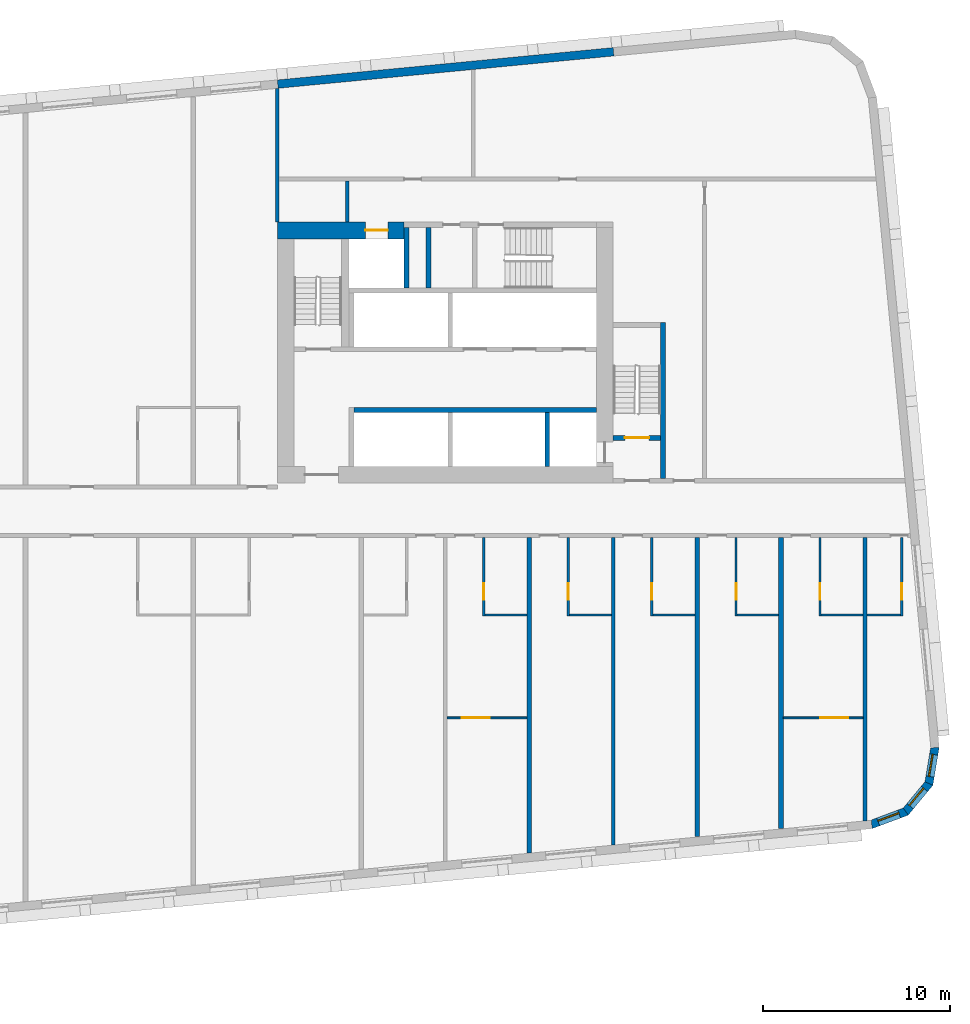
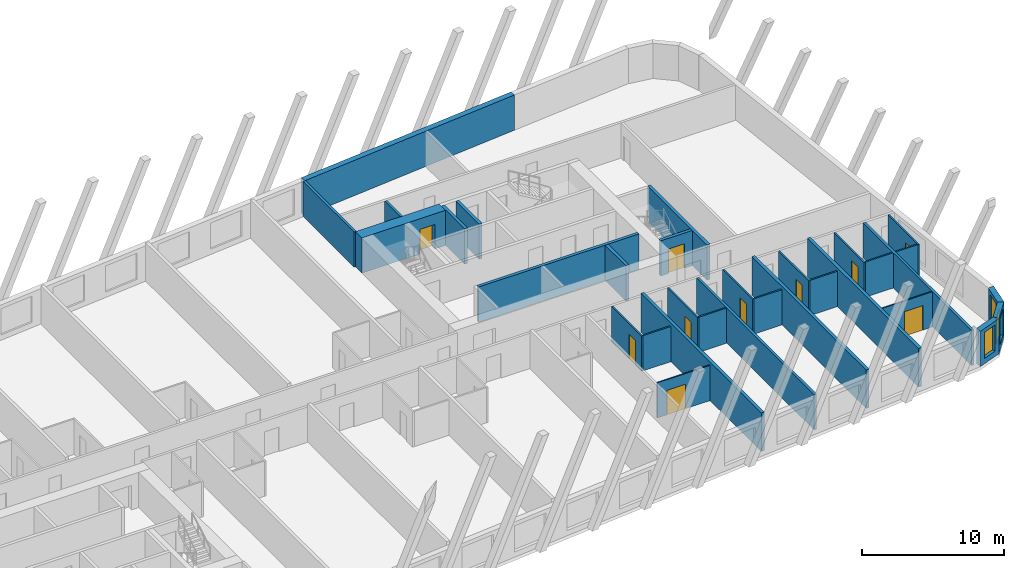
# One storey, part 7 of 13: 32 walls, 10 doors, 3 windows, 13 openings.
"""IFC4 building model written with IfcOpenShell, lengths in metres."""

from ifc_helpers import new_model, si_unit, direction, frame, frame_2d, origin, place, context, subcontext, project, spatial, polyline, rectangle, outline, extrude, material, layer, layer_set, type_object, element, fill, save


model = new_model("IFC4")

# Units and contexts
model_context = context("Model", 3, precision=1e-05, world=origin(), true_north=direction((0.0, 1.0)))
body_context = subcontext(model_context, "Body", "Model", "MODEL_VIEW")
ifc_project = project(units=[si_unit("LENGTHUNIT", "METRE"), si_unit("AREAUNIT", "SQUARE_METRE"), si_unit("VOLUMEUNIT", "CUBIC_METRE"), si_unit("PLANEANGLEUNIT", "RADIAN"), si_unit("MASSUNIT", "GRAM", prefix="KILO")], contexts=[model_context])

# Site, building, storey
site_placement = place(None, origin())
site = spatial("IfcSite", under=ifc_project, at=site_placement, CompositionType="ELEMENT")
building_placement = place(site_placement, origin())
building = spatial("IfcBuilding", under=site, at=building_placement, Name="Kajstack Hotel Tower", CompositionType="ELEMENT")
storey_placement = place(building_placement, frame((0.0, 0.0, 120.699951171875)))
storey = spatial("IfcBuildingStorey", under=building, at=storey_placement, Name="L26", CompositionType="ELEMENT", Elevation=120.699951171875)

# Wall, opening, door
ifc_material_1 = material(Name="Concrete C60/75", Category="concrete")
ifc_layer_1 = layer(ifc_material_1, 0.89990234375)
ifc_layer_set_1 = layer_set([ifc_layer_1], Name="Core wall 900")
wall_type_1 = type_object("IfcWallType", Name="Core wall 900", PredefinedType="SHEAR", material=ifc_layer_set_1)
wall_1_placement = place(storey_placement, frame((13.5, 15.050048828125, 0.0), z_axis=(0.0, 0.0, 1.0), x_axis=(1.0, 0.0, 0.0)))
wall_1 = element("IfcWall", 1, at=wall_1_placement, inside=storey, type_object=wall_type_1, Name="Core wall E RS", PredefinedType="SHEAR", context=body_context, shape_type="SweptSolid", body=[
    extrude(rectangle(XDim=6.800048828125, YDim=0.89990234375, at=frame_2d((3.39990234375, 0.0))), origin(), (0.0, 0.0, 1.0), 3.02001953125),
])
opening_1_placement = place(wall_1_placement, frame((4.72509765625, 0.0, 0.0)))
opening_1 = element("IfcOpeningElement", 2, at=opening_1_placement, cuts=wall_1, Name="Opening LD-SV2", PredefinedType="OPENING", context=body_context, shape_type="SweptSolid", body=[
    extrude(rectangle(XDim=1.199951171875, YDim=2.10009765625, at=frame_2d((0.60009765625, 1.050048828125))), frame((0.0, 0.4599609375, 0.0), z_axis=(0.0, -1.0, 0.0), x_axis=(1.0, 0.0, 0.0)), (0.0, 0.0, 1.0), 0.919921875),
])
ifc_material_2 = material(Name="Stainless steel", Category="steel")
door_type_1 = type_object("IfcDoorType", Name="Lift landing door 1200", OperationType="SLIDING_TO_LEFT", PredefinedType="DOOR", material=ifc_material_2)
door_1_placement = place(opening_1_placement, origin())
door_1 = element("IfcDoor", 3, at=door_1_placement, inside=storey, type_object=door_type_1, Name="Landing door SV2", OperationType="SLIDING_TO_LEFT", OverallHeight=2.10009765625, OverallWidth=1.199951171875, PredefinedType="DOOR", context=body_context, shape_type="SweptSolid", body=[
    extrude(rectangle(XDim=1.199951171875, YDim=2.10009765625, at=frame_2d((0.60009765625, 1.050048828125))), frame((0.0, 0.02490234375, 0.0), z_axis=(0.0, -1.0, 0.0), x_axis=(1.0, 0.0, 0.0)), (0.0, 0.0, 1.0), 0.050048828125),
])
fill(opening_1, door_1)

# Walls
ifc_material_3 = material(Name="Twin-frame gypsum board on steel studs, mineral wool", Category="steel")
ifc_layer_2 = layer(ifc_material_3, 0.199951171875)
ifc_layer_set_2 = layer_set([ifc_layer_2], Name="Demising wall 200")
wall_type_2 = type_object("IfcWallType", Name="Demising wall 200", PredefinedType="PARTITIONING", material=ifc_layer_set_2)
wall_2_placement = place(storey_placement, frame((13.5, 15.5, 0.0), z_axis=(0.0, 0.0, 1.0), x_axis=(0.0, 1.0, 0.0)))
element("IfcWall", 4, at=wall_2_placement, inside=storey, type_object=wall_type_2, Name="G-wall-L26-001", PredefinedType="PARTITIONING", context=body_context, shape_type="SweptSolid", body=[
    extrude(rectangle(XDim=7.162109375, YDim=0.199951171875, at=frame_2d((3.5810546875, 0.0))), origin(), (0.0, 0.0, 1.0), 3.02001953125),
])
wall_3_placement = place(storey_placement, frame((31.5, -17.89892578125, 0.0), z_axis=(0.0, 0.0, 1.0), x_axis=(0.0, 1.0, 0.0)))
element("IfcWall", 5, at=wall_3_placement, inside=storey, type_object=wall_type_2, Name="G-wall-L26-041", PredefinedType="PARTITIONING", context=body_context, shape_type="SweptSolid", body=[
    extrude(rectangle(XDim=16.4990234375, YDim=0.199951171875, at=frame_2d((8.24951171875, 0.0))), origin(), (0.0, 0.0, 1.0), 3.02001953125),
])
wall_4_placement = place(storey_placement, frame((45.0, -16.59912109375, 0.0), z_axis=(0.0, 0.0, 1.0), x_axis=(0.0, 1.0, 0.0)))
element("IfcWall", 6, at=wall_4_placement, inside=storey, type_object=wall_type_2, Name="G-wall-L26-048", PredefinedType="PARTITIONING", context=body_context, shape_type="SweptSolid", body=[
    extrude(rectangle(XDim=15.19921875, YDim=0.199951171875, at=frame_2d((7.599609375, 0.0))), origin(), (0.0, 0.0, 1.0), 3.02001953125),
])
ifc_material_4 = material(Name="Concrete C40/50", Category="concrete")
ifc_layer_3 = layer(ifc_material_4, 0.449951171875)
ifc_layer_set_3 = layer_set([ifc_layer_3], Name="EW-CORE")
wall_type_3 = type_object("IfcWallType", Name="EW-CORE", PredefinedType="SOLIDWALL", material=ifc_layer_set_3)
wall_5_placement = place(storey_placement, frame((31.521484375, 24.623291015625, 0.0), z_axis=(0.0, 0.0, 1.0), x_axis=(-0.995396454615, -0.095843091245, 0.0)))
element("IfcWall", 7, at=wall_5_placement, inside=storey, type_object=wall_type_3, Name="E-wall-L26-12-01", PredefinedType="SOLIDWALL", context=body_context, shape_type="SweptSolid", body=[
    extrude(rectangle(XDim=18.083251953125, YDim=0.449951171875, at=frame_2d((9.04150390625, 0.0))), origin(), (0.0, 0.0, 1.0), 3.02001953125),
])

# Wall, opening, window
ifc_material_5 = material(Name="Terracotta-faced brick masonry", Category="masonry")
ifc_layer_4 = layer(ifc_material_5, 0.449951171875)
ifc_layer_set_4 = layer_set([ifc_layer_4], Name="EW-TERRA")
wall_type_4 = type_object("IfcWallType", Name="EW-TERRA", PredefinedType="SOLIDWALL", material=ifc_layer_set_4)
wall_6_placement = place(storey_placement, frame((45.300048828125, -16.804443359375, 0.0), z_axis=(0.0, 0.0, 1.0), x_axis=(0.936677599948, 0.350192909346, 0.0)))
wall_6 = element("IfcWall", 8, at=wall_6_placement, inside=storey, type_object=wall_type_4, Name="E-wall-L26-05-00", PredefinedType="SOLIDWALL", context=body_context, shape_type="SweptSolid", body=[
    extrude(outline(polyline([(0.0, -0.224853515625), (2.070556640625, -0.224853515625), (1.949951171875, 0.22509765625), (0.12060546875, 0.22509765625), (0.0, -0.224853515625)])), origin(), (0.0, 0.0, 1.0), 3.02001953125),
])
opening_2_placement = place(wall_6_placement, frame((0.435302734375, 0.0, 0.449951171875)))
opening_2 = element("IfcOpeningElement", 9, at=opening_2_placement, cuts=wall_6, Name="Opening W3", PredefinedType="OPENING", context=body_context, shape_type="SweptSolid", body=[
    extrude(rectangle(XDim=1.199951171875, YDim=2.25, at=frame_2d((0.60009765625, 1.125))), frame((0.0, 0.23486328125, 0.0), z_axis=(0.0, -1.0, 0.0), x_axis=(1.0, 0.0, 0.0)), (0.0, 0.0, 1.0), 0.469970703125),
])
ifc_material_6 = material(Name="Timber-aluminium window, triple glazed", Category="wood")
window_type = type_object("IfcWindowType", Name="WG3", PartitioningType="SINGLE_PANEL", PredefinedType="WINDOW", material=ifc_material_6)
window_1_placement = place(opening_2_placement, origin())
window_1 = element("IfcWindow", 10, at=window_1_placement, inside=storey, type_object=window_type, Name="Window W3 L26-05", OverallHeight=2.25, OverallWidth=1.199951171875, PartitioningType="SINGLE_PANEL", PredefinedType="WINDOW", context=body_context, shape_type="SweptSolid", body=[
    extrude(rectangle(XDim=1.199951171875, YDim=2.25, at=frame_2d((0.60009765625, 1.125))), frame((0.0, 0.090087890625, 0.0), z_axis=(0.0, -1.0, 0.0), x_axis=(1.0, 0.0, 0.0)), (0.0, 0.0, 1.0), 0.06005859375),
])
fill(opening_2, window_1)

wall_7_placement = place(storey_placement, frame((47.144775390625, -16.14697265625, 0.0), z_axis=(0.0, 0.0, 1.0), x_axis=(0.635988241739, 0.771698747161, 0.0)))
wall_7 = element("IfcWall", 11, at=wall_7_placement, inside=storey, type_object=wall_type_4, Name="E-wall-L26-06-00", PredefinedType="SOLIDWALL", context=body_context, shape_type="SweptSolid", body=[
    extrude(outline(polyline([(0.0, -0.224853515625), (2.070556640625, -0.22509765625), (1.949951171875, 0.224853515625), (0.12060546875, 0.22509765625), (0.0, -0.224853515625)])), origin(), (0.0, 0.0, 1.0), 3.02001953125),
])
opening_3_placement = place(wall_7_placement, frame((0.435302734375, 0.0, 0.449951171875)))
opening_3 = element("IfcOpeningElement", 12, at=opening_3_placement, cuts=wall_7, Name="Opening W3", PredefinedType="OPENING", context=body_context, shape_type="SweptSolid", body=[
    extrude(rectangle(XDim=1.199951171875, YDim=2.25, at=frame_2d((0.60009765625, 1.125))), frame((0.0, 0.23486328125, 0.0), z_axis=(0.0, -1.0, 0.0), x_axis=(1.0, 0.0, 0.0)), (0.0, 0.0, 1.0), 0.469970703125),
])
window_2_placement = place(opening_3_placement, origin())
window_2 = element("IfcWindow", 13, at=window_2_placement, inside=storey, type_object=window_type, Name="Window W3 L26-06", OverallHeight=2.25, OverallWidth=1.199951171875, PartitioningType="SINGLE_PANEL", PredefinedType="WINDOW", context=body_context, shape_type="SweptSolid", body=[
    extrude(rectangle(XDim=1.199951171875, YDim=2.25, at=frame_2d((0.60009765625, 1.125))), frame((0.0, 0.090087890625, 0.0), z_axis=(0.0, -1.0, 0.0), x_axis=(1.0, 0.0, 0.0)), (0.0, 0.0, 1.0), 0.06005859375),
])
fill(opening_3, window_2)

wall_8_placement = place(storey_placement, frame((48.413330078125, -14.6552734375, 0.0), z_axis=(0.0, 0.0, 1.0), x_axis=(0.165068144653, 0.986282164302, 0.0)))
wall_8 = element("IfcWall", 14, at=wall_8_placement, inside=storey, type_object=wall_type_4, Name="E-wall-L26-07-00", PredefinedType="SOLIDWALL", context=body_context, shape_type="SweptSolid", body=[
    extrude(outline(polyline([(0.0, -0.22509765625), (2.07080078125, -0.224853515625), (1.9501953125, 0.22509765625), (0.12060546875, 0.224853515625), (0.0, -0.22509765625)])), origin(), (0.0, 0.0, 1.0), 3.02001953125),
])
opening_4_placement = place(wall_8_placement, frame((0.435302734375, 0.0, 0.449951171875)))
opening_4 = element("IfcOpeningElement", 15, at=opening_4_placement, cuts=wall_8, Name="Opening W3", PredefinedType="OPENING", context=body_context, shape_type="SweptSolid", body=[
    extrude(rectangle(XDim=1.199951171875, YDim=2.25, at=frame_2d((0.60009765625, 1.125))), frame((0.0, 0.23486328125, 0.0), z_axis=(0.0, -1.0, 0.0), x_axis=(1.0, 0.0, 0.0)), (0.0, 0.0, 1.0), 0.469970703125),
])
window_3_placement = place(opening_4_placement, origin())
window_3 = element("IfcWindow", 16, at=window_3_placement, inside=storey, type_object=window_type, Name="Window W3 L26-07", OverallHeight=2.25, OverallWidth=1.199951171875, PartitioningType="SINGLE_PANEL", PredefinedType="WINDOW", context=body_context, shape_type="SweptSolid", body=[
    extrude(rectangle(XDim=1.199951171875, YDim=2.25, at=frame_2d((0.60009765625, 1.125))), frame((0.0, 0.090087890625, 0.0), z_axis=(0.0, -1.0, 0.0), x_axis=(1.0, 0.0, 0.0)), (0.0, 0.0, 1.0), 0.06005859375),
])
fill(opening_4, window_3)

# Wall, opening, door
ifc_material_7 = material(Name="Gypsum board and tiled backer on steel studs", Category="steel")
ifc_layer_5 = layer(ifc_material_7, 0.125)
ifc_layer_set_5 = layer_set([ifc_layer_5], Name="En-suite wall 125")
wall_type_5 = type_object("IfcWallType", Name="En-suite wall 125", PredefinedType="PARTITIONING", material=ifc_layer_set_5)
wall_9_placement = place(storey_placement, frame((24.56201171875, -5.625, 0.0), z_axis=(0.0, 0.0, 1.0), x_axis=(0.0, 1.0, 0.0)))
wall_9 = element("IfcWall", 17, at=wall_9_placement, inside=storey, type_object=wall_type_5, Name="G-wall-L26-038", PredefinedType="PARTITIONING", context=body_context, shape_type="SweptSolid", body=[
    extrude(rectangle(XDim=4.22509765625, YDim=0.125, at=frame_2d((2.112548828125, 0.0))), origin(), (0.0, 0.0, 1.0), 3.02001953125),
])
opening_5_placement = place(wall_9_placement, frame((0.875, 0.0, 0.0)))
opening_5 = element("IfcOpeningElement", 18, at=opening_5_placement, cuts=wall_9, Name="Opening 26032", PredefinedType="OPENING", context=body_context, shape_type="SweptSolid", body=[
    extrude(rectangle(XDim=0.89990234375, YDim=2.10009765625, at=frame_2d((0.449951171875, 1.050048828125))), frame((0.0, 0.072509765625, 0.0), z_axis=(0.0, -1.0, 0.0), x_axis=(1.0, 0.0, 0.0)), (0.0, 0.0, 1.0), 0.14501953125),
])
ifc_material_8 = material(Name="Painted timber door leaf", Category="wood")
door_type_2 = type_object("IfcDoorType", Name="Room door 900", OperationType="SINGLE_SWING_LEFT", PredefinedType="DOOR", material=ifc_material_8)
door_2_placement = place(opening_5_placement, origin())
door_2 = element("IfcDoor", 19, at=door_2_placement, inside=storey, type_object=door_type_2, Name="G-door-L26-32", OperationType="SINGLE_SWING_LEFT", OverallHeight=2.10009765625, OverallWidth=0.89990234375, PredefinedType="DOOR", context=body_context, shape_type="SweptSolid", body=[
    extrude(rectangle(XDim=0.89990234375, YDim=2.10009765625, at=frame_2d((0.449951171875, 1.050048828125))), frame((0.0, 0.02490234375, 0.0), z_axis=(0.0, -1.0, 0.0), x_axis=(1.0, 0.0, 0.0)), (0.0, 0.0, 1.0), 0.050048828125),
])
fill(opening_5, door_2)

# Wall
wall_10_placement = place(storey_placement, frame((24.625, -5.56201171875, 0.0), z_axis=(0.0, 0.0, 1.0), x_axis=(1.0, 0.0, 0.0)))
element("IfcWall", 20, at=wall_10_placement, inside=storey, type_object=wall_type_5, Name="G-wall-L26-039", PredefinedType="PARTITIONING", context=body_context, shape_type="SweptSolid", body=[
    extrude(rectangle(XDim=2.25, YDim=0.125, at=frame_2d((1.125, 0.0))), origin(), (0.0, 0.0, 1.0), 3.02001953125),
])

# Wall, opening, door
wall_11_placement = place(storey_placement, frame((29.0869140625, -5.625, 0.0), z_axis=(0.0, 0.0, 1.0), x_axis=(0.0, 1.0, 0.0)))
wall_11 = element("IfcWall", 21, at=wall_11_placement, inside=storey, type_object=wall_type_5, Name="G-wall-L26-042", PredefinedType="PARTITIONING", context=body_context, shape_type="SweptSolid", body=[
    extrude(rectangle(XDim=4.22509765625, YDim=0.125, at=frame_2d((2.112548828125, 0.0))), origin(), (0.0, 0.0, 1.0), 3.02001953125),
])
opening_6_placement = place(wall_11_placement, frame((0.875, 0.0, 0.0)))
opening_6 = element("IfcOpeningElement", 22, at=opening_6_placement, cuts=wall_11, Name="Opening 26035", PredefinedType="OPENING", context=body_context, shape_type="SweptSolid", body=[
    extrude(rectangle(XDim=0.89990234375, YDim=2.10009765625, at=frame_2d((0.449951171875, 1.050048828125))), frame((0.0, 0.072509765625, 0.0), z_axis=(0.0, -1.0, 0.0), x_axis=(1.0, 0.0, 0.0)), (0.0, 0.0, 1.0), 0.14501953125),
])
door_3_placement = place(opening_6_placement, origin())
door_3 = element("IfcDoor", 23, at=door_3_placement, inside=storey, type_object=door_type_2, Name="G-door-L26-35", OperationType="SINGLE_SWING_LEFT", OverallHeight=2.10009765625, OverallWidth=0.89990234375, PredefinedType="DOOR", context=body_context, shape_type="SweptSolid", body=[
    extrude(rectangle(XDim=0.89990234375, YDim=2.10009765625, at=frame_2d((0.449951171875, 1.050048828125))), frame((0.0, 0.02490234375, 0.0), z_axis=(0.0, -1.0, 0.0), x_axis=(1.0, 0.0, 0.0)), (0.0, 0.0, 1.0), 0.050048828125),
])
fill(opening_6, door_3)

# Wall
wall_12_placement = place(storey_placement, frame((29.14990234375, -5.56201171875, 0.0), z_axis=(0.0, 0.0, 1.0), x_axis=(1.0, 0.0, 0.0)))
element("IfcWall", 24, at=wall_12_placement, inside=storey, type_object=wall_type_5, Name="G-wall-L26-043", PredefinedType="PARTITIONING", context=body_context, shape_type="SweptSolid", body=[
    extrude(rectangle(XDim=2.25, YDim=0.125, at=frame_2d((1.125, 0.0))), origin(), (0.0, 0.0, 1.0), 3.02001953125),
])

# Wall, opening, door
wall_13_placement = place(storey_placement, frame((33.56201171875, -5.625, 0.0), z_axis=(0.0, 0.0, 1.0), x_axis=(0.0, 1.0, 0.0)))
wall_13 = element("IfcWall", 25, at=wall_13_placement, inside=storey, type_object=wall_type_5, Name="G-wall-L26-044", PredefinedType="PARTITIONING", context=body_context, shape_type="SweptSolid", body=[
    extrude(rectangle(XDim=4.22509765625, YDim=0.125, at=frame_2d((2.112548828125, 0.0))), origin(), (0.0, 0.0, 1.0), 3.02001953125),
])
opening_7_placement = place(wall_13_placement, frame((0.875, 0.0, 0.0)))
opening_7 = element("IfcOpeningElement", 26, at=opening_7_placement, cuts=wall_13, Name="Opening 26037", PredefinedType="OPENING", context=body_context, shape_type="SweptSolid", body=[
    extrude(rectangle(XDim=0.89990234375, YDim=2.10009765625, at=frame_2d((0.449951171875, 1.050048828125))), frame((0.0, 0.072509765625, 0.0), z_axis=(0.0, -1.0, 0.0), x_axis=(1.0, 0.0, 0.0)), (0.0, 0.0, 1.0), 0.14501953125),
])
door_4_placement = place(opening_7_placement, origin())
door_4 = element("IfcDoor", 27, at=door_4_placement, inside=storey, type_object=door_type_2, Name="G-door-L26-37", OperationType="SINGLE_SWING_LEFT", OverallHeight=2.10009765625, OverallWidth=0.89990234375, PredefinedType="DOOR", context=body_context, shape_type="SweptSolid", body=[
    extrude(rectangle(XDim=0.89990234375, YDim=2.10009765625, at=frame_2d((0.449951171875, 1.050048828125))), frame((0.0, 0.02490234375, 0.0), z_axis=(0.0, -1.0, 0.0), x_axis=(1.0, 0.0, 0.0)), (0.0, 0.0, 1.0), 0.050048828125),
])
fill(opening_7, door_4)

# Wall
wall_14_placement = place(storey_placement, frame((33.625, -5.56201171875, 0.0), z_axis=(0.0, 0.0, 1.0), x_axis=(1.0, 0.0, 0.0)))
element("IfcWall", 28, at=wall_14_placement, inside=storey, type_object=wall_type_5, Name="G-wall-L26-045", PredefinedType="PARTITIONING", context=body_context, shape_type="SweptSolid", body=[
    extrude(rectangle(XDim=2.25, YDim=0.125, at=frame_2d((1.125, 0.0))), origin(), (0.0, 0.0, 1.0), 3.02001953125),
])

# Wall, opening, door
wall_15_placement = place(storey_placement, frame((38.0869140625, -5.625, 0.0), z_axis=(0.0, 0.0, 1.0), x_axis=(0.0, 1.0, 0.0)))
wall_15 = element("IfcWall", 29, at=wall_15_placement, inside=storey, type_object=wall_type_5, Name="G-wall-L26-046", PredefinedType="PARTITIONING", context=body_context, shape_type="SweptSolid", body=[
    extrude(rectangle(XDim=4.22509765625, YDim=0.125, at=frame_2d((2.112548828125, 0.0))), origin(), (0.0, 0.0, 1.0), 3.02001953125),
])
opening_8_placement = place(wall_15_placement, frame((0.875, 0.0, 0.0)))
opening_8 = element("IfcOpeningElement", 30, at=opening_8_placement, cuts=wall_15, Name="Opening 26039", PredefinedType="OPENING", context=body_context, shape_type="SweptSolid", body=[
    extrude(rectangle(XDim=0.89990234375, YDim=2.10009765625, at=frame_2d((0.449951171875, 1.050048828125))), frame((0.0, 0.072509765625, 0.0), z_axis=(0.0, -1.0, 0.0), x_axis=(1.0, 0.0, 0.0)), (0.0, 0.0, 1.0), 0.14501953125),
])
door_5_placement = place(opening_8_placement, origin())
door_5 = element("IfcDoor", 31, at=door_5_placement, inside=storey, type_object=door_type_2, Name="G-door-L26-39", OperationType="SINGLE_SWING_LEFT", OverallHeight=2.10009765625, OverallWidth=0.89990234375, PredefinedType="DOOR", context=body_context, shape_type="SweptSolid", body=[
    extrude(rectangle(XDim=0.89990234375, YDim=2.10009765625, at=frame_2d((0.449951171875, 1.050048828125))), frame((0.0, 0.02490234375, 0.0), z_axis=(0.0, -1.0, 0.0), x_axis=(1.0, 0.0, 0.0)), (0.0, 0.0, 1.0), 0.050048828125),
])
fill(opening_8, door_5)

# Wall
wall_16_placement = place(storey_placement, frame((38.14990234375, -5.56201171875, 0.0), z_axis=(0.0, 0.0, 1.0), x_axis=(1.0, 0.0, 0.0)))
element("IfcWall", 32, at=wall_16_placement, inside=storey, type_object=wall_type_5, Name="G-wall-L26-047", PredefinedType="PARTITIONING", context=body_context, shape_type="SweptSolid", body=[
    extrude(rectangle(XDim=2.22509765625, YDim=0.125, at=frame_2d((1.112548828125, 0.0))), origin(), (0.0, 0.0, 1.0), 3.02001953125),
])

# Wall, opening, door
wall_17_placement = place(storey_placement, frame((42.5869140625, -5.625, 0.0), z_axis=(0.0, 0.0, 1.0), x_axis=(0.0, 1.0, 0.0)))
wall_17 = element("IfcWall", 33, at=wall_17_placement, inside=storey, type_object=wall_type_5, Name="G-wall-L26-049", PredefinedType="PARTITIONING", context=body_context, shape_type="SweptSolid", body=[
    extrude(rectangle(XDim=4.22509765625, YDim=0.125, at=frame_2d((2.112548828125, 0.0))), origin(), (0.0, 0.0, 1.0), 3.02001953125),
])
opening_9_placement = place(wall_17_placement, frame((0.875, 0.0, 0.0)))
opening_9 = element("IfcOpeningElement", 34, at=opening_9_placement, cuts=wall_17, Name="Opening 26041", PredefinedType="OPENING", context=body_context, shape_type="SweptSolid", body=[
    extrude(rectangle(XDim=0.89990234375, YDim=2.10009765625, at=frame_2d((0.449951171875, 1.050048828125))), frame((0.0, 0.072509765625, 0.0), z_axis=(0.0, -1.0, 0.0), x_axis=(1.0, 0.0, 0.0)), (0.0, 0.0, 1.0), 0.14501953125),
])
door_6_placement = place(opening_9_placement, origin())
door_6 = element("IfcDoor", 35, at=door_6_placement, inside=storey, type_object=door_type_2, Name="G-door-L26-41", OperationType="SINGLE_SWING_LEFT", OverallHeight=2.10009765625, OverallWidth=0.89990234375, PredefinedType="DOOR", context=body_context, shape_type="SweptSolid", body=[
    extrude(rectangle(XDim=0.89990234375, YDim=2.10009765625, at=frame_2d((0.449951171875, 1.050048828125))), frame((0.0, 0.02490234375, 0.0), z_axis=(0.0, -1.0, 0.0), x_axis=(1.0, 0.0, 0.0)), (0.0, 0.0, 1.0), 0.050048828125),
])
fill(opening_9, door_6)

# Wall
wall_18_placement = place(storey_placement, frame((42.64990234375, -5.56201171875, 0.0), z_axis=(0.0, 0.0, 1.0), x_axis=(1.0, 0.0, 0.0)))
element("IfcWall", 36, at=wall_18_placement, inside=storey, type_object=wall_type_5, Name="G-wall-L26-050", PredefinedType="PARTITIONING", context=body_context, shape_type="SweptSolid", body=[
    extrude(rectangle(XDim=2.25, YDim=0.125, at=frame_2d((1.125, 0.0))), origin(), (0.0, 0.0, 1.0), 3.02001953125),
])

# Wall, opening, door
wall_19_placement = place(storey_placement, frame((46.9619140625, -5.625, 0.0), z_axis=(0.0, 0.0, 1.0), x_axis=(0.0, 1.0, 0.0)))
wall_19 = element("IfcWall", 37, at=wall_19_placement, inside=storey, type_object=wall_type_5, Name="G-wall-L26-052", PredefinedType="PARTITIONING", context=body_context, shape_type="SweptSolid", body=[
    extrude(rectangle(XDim=4.22509765625, YDim=0.125, at=frame_2d((2.112548828125, 0.0))), origin(), (0.0, 0.0, 1.0), 3.02001953125),
])
opening_10_placement = place(wall_19_placement, frame((0.875, 0.0, 0.0)))
opening_10 = element("IfcOpeningElement", 38, at=opening_10_placement, cuts=wall_19, Name="Opening 26044", PredefinedType="OPENING", context=body_context, shape_type="SweptSolid", body=[
    extrude(rectangle(XDim=0.89990234375, YDim=2.10009765625, at=frame_2d((0.449951171875, 1.050048828125))), frame((0.0, 0.072509765625, 0.0), z_axis=(0.0, -1.0, 0.0), x_axis=(1.0, 0.0, 0.0)), (0.0, 0.0, 1.0), 0.14501953125),
])
door_7_placement = place(opening_10_placement, origin())
door_7 = element("IfcDoor", 39, at=door_7_placement, inside=storey, type_object=door_type_2, Name="G-door-L26-44", OperationType="SINGLE_SWING_LEFT", OverallHeight=2.10009765625, OverallWidth=0.89990234375, PredefinedType="DOOR", context=body_context, shape_type="SweptSolid", body=[
    extrude(rectangle(XDim=0.89990234375, YDim=2.10009765625, at=frame_2d((0.449951171875, 1.050048828125))), frame((0.0, 0.02490234375, 0.0), z_axis=(0.0, -1.0, 0.0), x_axis=(1.0, 0.0, 0.0)), (0.0, 0.0, 1.0), 0.050048828125),
])
fill(opening_10, door_7)

# Wall
wall_20_placement = place(storey_placement, frame((45.10009765625, -5.56201171875, 0.0), z_axis=(0.0, 0.0, 1.0), x_axis=(1.0, 0.0, 0.0)))
element("IfcWall", 40, at=wall_20_placement, inside=storey, type_object=wall_type_5, Name="G-wall-L26-053", PredefinedType="PARTITIONING", context=body_context, shape_type="SweptSolid", body=[
    extrude(rectangle(XDim=1.7998046875, YDim=0.125, at=frame_2d((0.89990234375, 0.0))), origin(), (0.0, 0.0, 1.0), 3.02001953125),
])

# Wall, opening, door
ifc_material_9 = material(Name="Gypsum board on steel studs", Category="steel")
ifc_layer_6 = layer(ifc_material_9, 0.10009765625)
ifc_layer_set_6 = layer_set([ifc_layer_6], Name="Partition 100")
wall_type_6 = type_object("IfcWallType", Name="Partition 100", PredefinedType="PARTITIONING", material=ifc_layer_set_6)
wall_21_placement = place(storey_placement, frame((22.60009765625, -11.074951171875, 0.0), z_axis=(0.0, 0.0, 1.0), x_axis=(1.0, 0.0, 0.0)))
wall_21 = element("IfcWall", 41, at=wall_21_placement, inside=storey, type_object=wall_type_6, Name="G-wall-L26-040", PredefinedType="PARTITIONING", context=body_context, shape_type="SweptSolid", body=[
    extrude(rectangle(XDim=4.27490234375, YDim=0.10009765625, at=frame_2d((2.137451171875, 0.0))), origin(), (0.0, 0.0, 1.0), 3.02001953125),
])
opening_11_placement = place(wall_21_placement, frame((0.787109375, 0.0, 0.0)))
opening_11 = element("IfcOpeningElement", 42, at=opening_11_placement, cuts=wall_21, Name="Opening 26033", PredefinedType="OPENING", context=body_context, shape_type="SweptSolid", body=[
    extrude(rectangle(XDim=1.5, YDim=2.10009765625, at=frame_2d((0.75, 1.050048828125))), frame((0.0, 0.06005859375, 0.0), z_axis=(0.0, -1.0, 0.0), x_axis=(1.0, 0.0, 0.0)), (0.0, 0.0, 1.0), 0.1201171875),
])
ifc_material_10 = material(Name="Painted timber door leaves, glazed panels", Category="wood")
door_type_3 = type_object("IfcDoorType", Name="Double door 1500", OperationType="SINGLE_SWING_LEFT", PredefinedType="DOOR", material=ifc_material_10)
door_8_placement = place(opening_11_placement, origin())
door_8 = element("IfcDoor", 43, at=door_8_placement, inside=storey, type_object=door_type_3, Name="G-door-L26-33", OperationType="SINGLE_SWING_RIGHT", OverallHeight=2.10009765625, OverallWidth=1.5, PredefinedType="DOOR", context=body_context, shape_type="SweptSolid", body=[
    extrude(rectangle(XDim=1.5, YDim=2.10009765625, at=frame_2d((0.75, 1.050048828125))), frame((0.0, 0.02490234375, 0.0), z_axis=(0.0, -1.0, 0.0), x_axis=(1.0, 0.0, 0.0)), (0.0, 0.0, 1.0), 0.050048828125),
])
fill(opening_11, door_8)

wall_22_placement = place(storey_placement, frame((40.625, -11.074951171875, 0.0), z_axis=(0.0, 0.0, 1.0), x_axis=(1.0, 0.0, 0.0)))
wall_22 = element("IfcWall", 44, at=wall_22_placement, inside=storey, type_object=wall_type_6, Name="G-wall-L26-051", PredefinedType="PARTITIONING", context=body_context, shape_type="SweptSolid", body=[
    extrude(rectangle(XDim=4.27490234375, YDim=0.10009765625, at=frame_2d((2.137451171875, 0.0))), origin(), (0.0, 0.0, 1.0), 3.02001953125),
])
opening_12_placement = place(wall_22_placement, frame((1.988037109375, 0.0, 0.0)))
opening_12 = element("IfcOpeningElement", 45, at=opening_12_placement, cuts=wall_22, Name="Opening 26042", PredefinedType="OPENING", context=body_context, shape_type="SweptSolid", body=[
    extrude(rectangle(XDim=1.5, YDim=2.10009765625, at=frame_2d((0.75, 1.050048828125))), frame((0.0, 0.06005859375, 0.0), z_axis=(0.0, -1.0, 0.0), x_axis=(1.0, 0.0, 0.0)), (0.0, 0.0, 1.0), 0.1201171875),
])
door_9_placement = place(opening_12_placement, origin())
door_9 = element("IfcDoor", 46, at=door_9_placement, inside=storey, type_object=door_type_3, Name="G-door-L26-42", OperationType="SINGLE_SWING_LEFT", OverallHeight=2.10009765625, OverallWidth=1.5, PredefinedType="DOOR", context=body_context, shape_type="SweptSolid", body=[
    extrude(rectangle(XDim=1.5, YDim=2.10009765625, at=frame_2d((0.75, 1.050048828125))), frame((0.0, 0.02490234375, 0.0), z_axis=(0.0, -1.0, 0.0), x_axis=(1.0, 0.0, 0.0)), (0.0, 0.0, 1.0), 0.050048828125),
])
fill(opening_12, door_9)

# Walls
ifc_material_11 = material(Name="Concrete C55/67", Category="concrete")
ifc_layer_7 = layer(ifc_material_11, 0.25)
ifc_layer_set_7 = layer_set([ifc_layer_7], Name="RC cross wall 250 C55/67")
wall_type_7 = type_object("IfcWallType", Name="RC cross wall 250 C55/67", PredefinedType="SHEAR", material=ifc_layer_set_7)
wall_23_placement = place(storey_placement, frame((27.0, -18.310546875, 0.0), z_axis=(0.0, 0.0, 1.0), x_axis=(0.0, 1.0, 0.0)))
element("IfcWall", 47, at=wall_23_placement, inside=storey, type_object=wall_type_7, Name="S-wall-L26-11", PredefinedType="SHEAR", context=body_context, shape_type="SweptSolid", body=[
    extrude(rectangle(XDim=16.91064453125, YDim=0.25, at=frame_2d((8.455322265625, 0.0))), origin(), (0.0, 0.0, 1.0), 3.300048828125),
])
wall_24_placement = place(storey_placement, frame((36.0, -17.444091796875, 0.0), z_axis=(0.0, 0.0, 1.0), x_axis=(0.0, 1.0, 0.0)))
element("IfcWall", 48, at=wall_24_placement, inside=storey, type_object=wall_type_7, Name="S-wall-L26-12", PredefinedType="SHEAR", context=body_context, shape_type="SweptSolid", body=[
    extrude(rectangle(XDim=16.044189453125, YDim=0.25, at=frame_2d((8.02197265625, 0.0))), origin(), (0.0, 0.0, 1.0), 3.300048828125),
])
wall_25_placement = place(storey_placement, frame((40.5, -17.0107421875, 0.0), z_axis=(0.0, 0.0, 1.0), x_axis=(0.0, 1.0, 0.0)))
element("IfcWall", 49, at=wall_25_placement, inside=storey, type_object=wall_type_7, Name="S-wall-L26-13", PredefinedType="SHEAR", context=body_context, shape_type="SweptSolid", body=[
    extrude(rectangle(XDim=15.61083984375, YDim=0.25, at=frame_2d((7.805419921875, 0.0))), origin(), (0.0, 0.0, 1.0), 3.300048828125),
])
ifc_material_12 = material(Name="Concrete block masonry", Category="masonry")
ifc_layer_8 = layer(ifc_material_12, 0.25)
ifc_layer_set_8 = layer_set([ifc_layer_8], Name="Riser partition 250")
wall_type_8 = type_object("IfcWallType", Name="Riser partition 250", PredefinedType="PARTITIONING", material=ifc_layer_set_8)
wall_26_placement = place(storey_placement, frame((21.60009765625, 11.949951171875, 0.0), z_axis=(0.0, 0.0, 1.0), x_axis=(0.0, 1.0, 0.0)))
element("IfcWall", 50, at=wall_26_placement, inside=storey, type_object=wall_type_8, Name="Partition E SZ0", PredefinedType="PARTITIONING", context=body_context, shape_type="SweptSolid", body=[
    extrude(rectangle(XDim=3.25, YDim=0.25, at=frame_2d((1.625, 0.0))), origin(), (0.0, 0.0, 1.0), 3.02001953125),
])
ifc_material_13 = material(Name="Gypsum board on steel studs, mineral wool", Category="steel")
ifc_layer_9 = layer(ifc_material_13, 0.199951171875)
ifc_layer_set_9 = layer_set([ifc_layer_9], Name="Service partition 200")
wall_type_9 = type_object("IfcWallType", Name="Service partition 200", PredefinedType="PARTITIONING", material=ifc_layer_set_9)
wall_27_placement = place(storey_placement, frame((17.25, 15.5, 0.0), z_axis=(0.0, 0.0, 1.0), x_axis=(0.0, 1.0, 0.0)))
element("IfcWall", 51, at=wall_27_placement, inside=storey, type_object=wall_type_9, Name="Partition E SCE", PredefinedType="PARTITIONING", context=body_context, shape_type="SweptSolid", body=[
    extrude(rectangle(XDim=2.199951171875, YDim=0.199951171875, at=frame_2d((1.10009765625, 0.0))), origin(), (0.0, 0.0, 1.0), 3.02001953125),
])
ifc_material_14 = material(Name="Concrete C50/60", Category="concrete")
ifc_layer_10 = layer(ifc_material_14, 0.25)
ifc_layer_set_10 = layer_set([ifc_layer_10], Name="Shaft wall 250")
wall_type_10 = type_object("IfcWallType", Name="Shaft wall 250", PredefinedType="SHEAR", material=ifc_layer_set_10)
wall_28_placement = place(storey_placement, frame((17.60009765625, 5.425048828125, 0.0), z_axis=(0.0, 0.0, 1.0), x_axis=(1.0, 0.0, 0.0)))
element("IfcWall", 52, at=wall_28_placement, inside=storey, type_object=wall_type_10, Name="Core wall E FA", PredefinedType="SHEAR", context=body_context, shape_type="SweptSolid", body=[
    extrude(rectangle(XDim=13.0, YDim=0.25, at=frame_2d((6.5, 0.0))), origin(), (0.0, 0.0, 1.0), 3.02001953125),
])
wall_29_placement = place(storey_placement, frame((27.97509765625, 2.39990234375, 0.0), z_axis=(0.0, 0.0, 1.0), x_axis=(0.0, 1.0, 0.0)))
element("IfcWall", 53, at=wall_29_placement, inside=storey, type_object=wall_type_10, Name="Core wall E AP0", PredefinedType="SHEAR", context=body_context, shape_type="SweptSolid", body=[
    extrude(rectangle(XDim=2.900146484375, YDim=0.25, at=frame_2d((1.4501953125, 0.0))), origin(), (0.0, 0.0, 1.0), 3.02001953125),
])
wall_30_placement = place(storey_placement, frame((20.425048828125, 11.949951171875, 0.0), z_axis=(0.0, 0.0, 1.0), x_axis=(0.0, 1.0, 0.0)))
element("IfcWall", 54, at=wall_30_placement, inside=storey, type_object=wall_type_10, Name="Core wall E SVW", PredefinedType="SHEAR", context=body_context, shape_type="SweptSolid", body=[
    extrude(rectangle(XDim=3.25, YDim=0.25, at=frame_2d((1.625, 0.0))), origin(), (0.0, 0.0, 1.0), 3.02001953125),
])

# Wall, opening, door
ifc_layer_11 = layer(ifc_material_4, 0.25)
ifc_layer_set_11 = layer_set([ifc_layer_11], Name="Stair enclosure wall 250")
wall_type_11 = type_object("IfcWallType", Name="Stair enclosure wall 250", PredefinedType="SHEAR", material=ifc_layer_set_11)
wall_31_placement = place(storey_placement, frame((31.5, 3.925048828125, 0.0), z_axis=(0.0, 0.0, 1.0), x_axis=(1.0, 0.0, 0.0)))
wall_31 = element("IfcWall", 55, at=wall_31_placement, inside=storey, type_object=wall_type_11, Name="Core wall E W1N", PredefinedType="SHEAR", context=body_context, shape_type="SweptSolid", body=[
    extrude(rectangle(XDim=2.550048828125, YDim=0.25, at=frame_2d((1.27490234375, 0.0))), origin(), (0.0, 0.0, 1.0), 3.02001953125),
])
opening_13_placement = place(wall_31_placement, frame((0.625, 0.0, 0.0)))
opening_13 = element("IfcOpeningElement", 56, at=opening_13_placement, cuts=wall_31, Name="Opening 26E08", PredefinedType="OPENING", context=body_context, shape_type="SweptSolid", body=[
    extrude(rectangle(XDim=1.300048828125, YDim=2.10009765625, at=frame_2d((0.64990234375, 1.050048828125))), frame((0.0, 0.135009765625, 0.0), z_axis=(0.0, -1.0, 0.0), x_axis=(1.0, 0.0, 0.0)), (0.0, 0.0, 1.0), 0.27001953125),
])
ifc_material_15 = material(Name="Steel leaf, fire-rated", Category="steel")
door_type_4 = type_object("IfcDoorType", Name="Stair door 1300", OperationType="SINGLE_SWING_LEFT", PredefinedType="DOOR", material=ifc_material_15)
door_10_placement = place(opening_13_placement, origin())
door_10 = element("IfcDoor", 57, at=door_10_placement, inside=storey, type_object=door_type_4, Name="Door 26E08", OperationType="SINGLE_SWING_LEFT", OverallHeight=2.10009765625, OverallWidth=1.300048828125, PredefinedType="DOOR", context=body_context, shape_type="SweptSolid", body=[
    extrude(rectangle(XDim=1.300048828125, YDim=2.10009765625, at=frame_2d((0.64990234375, 1.050048828125))), frame((0.0, 0.02490234375, 0.0), z_axis=(0.0, -1.0, 0.0), x_axis=(1.0, 0.0, 0.0)), (0.0, 0.0, 1.0), 0.050048828125),
])
fill(opening_13, door_10)

# Wall
wall_32_placement = place(storey_placement, frame((34.175048828125, 1.75, 0.0), z_axis=(0.0, 0.0, 1.0), x_axis=(0.0, 1.0, 0.0)))
element("IfcWall", 58, at=wall_32_placement, inside=storey, type_object=wall_type_11, Name="Core wall E W1W", PredefinedType="SHEAR", context=body_context, shape_type="SweptSolid", body=[
    extrude(rectangle(XDim=8.35009765625, YDim=0.25, at=frame_2d((4.175048828125, 0.0))), origin(), (0.0, 0.0, 1.0), 3.02001953125),
])

save(model, "model.ifc")
